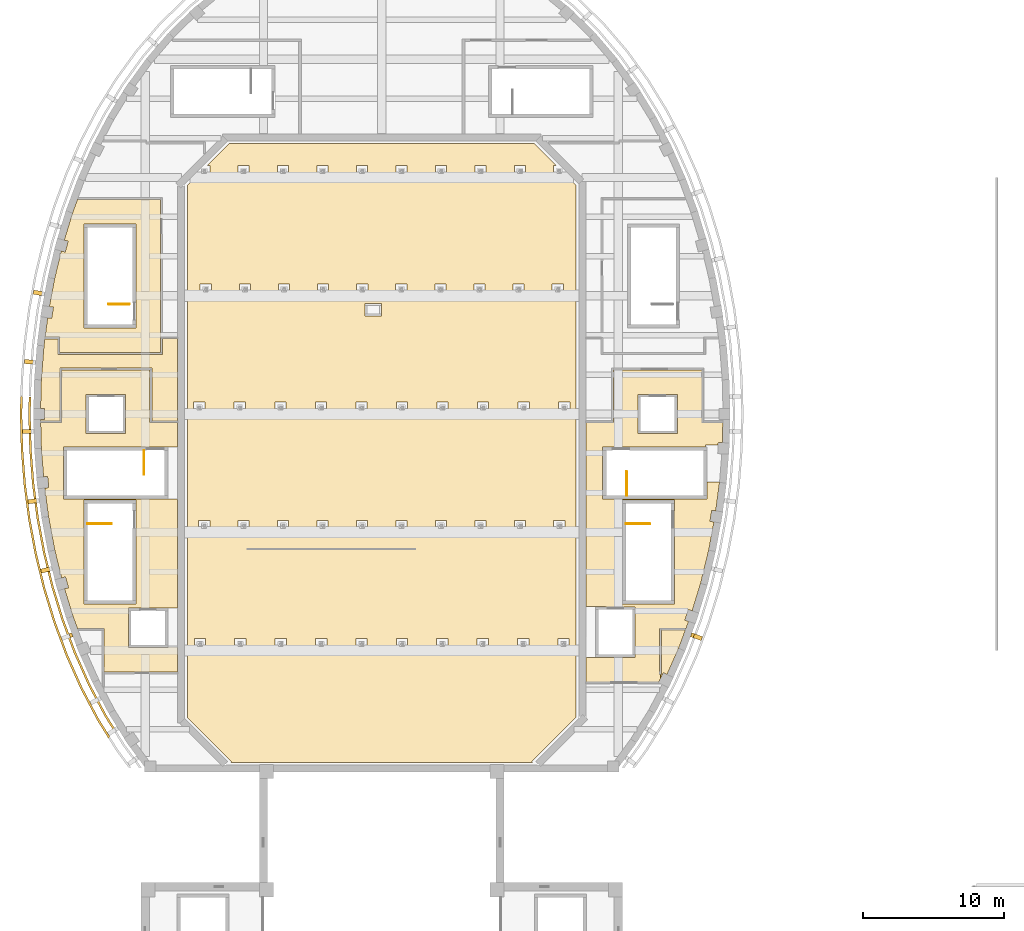
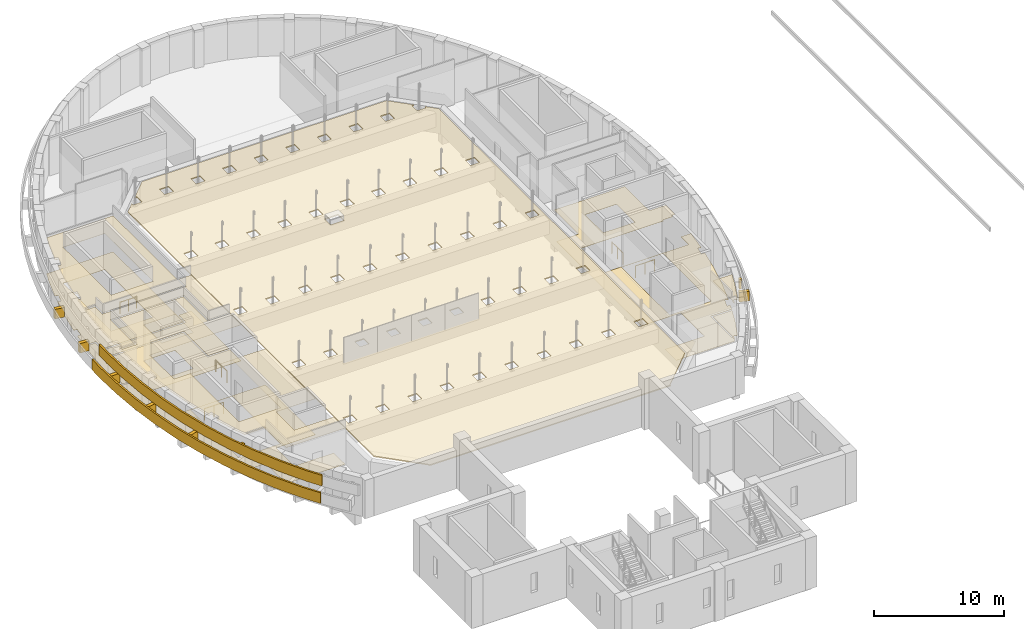
# One storey, part 45 of 47: 20 coverings, 5 railings.
"""IFC4 building model written with IfcOpenShell, lengths in metres."""

from ifc_helpers import new_model, si_unit, direction, frame, origin, origin_2d, place, context, subcontext, project, spatial, polyline, rectangle, circle, outline, extrude, material, layer, layer_set, type_object, element, save


model = new_model("IFC4")

# Units and contexts
model_context = context("Model", 3, precision=1e-05, world=origin(), true_north=direction((0.0, 1.0)))
body_context = subcontext(model_context, "Body", "Model", "MODEL_VIEW")
ifc_project = project(units=[si_unit("LENGTHUNIT", "METRE"), si_unit("AREAUNIT", "SQUARE_METRE"), si_unit("VOLUMEUNIT", "CUBIC_METRE"), si_unit("PLANEANGLEUNIT", "RADIAN"), si_unit("MASSUNIT", "GRAM", prefix="KILO")], contexts=[model_context])

# Site, building, storey
site_placement = place(None, origin())
site = spatial("IfcSite", under=ifc_project, at=site_placement, CompositionType="ELEMENT")
building_placement = place(site_placement, origin())
building = spatial("IfcBuilding", under=site, at=building_placement, Name="Larchfold Concert Hall", CompositionType="ELEMENT")
storey_placement = place(building_placement, frame((0.0, 0.0, 24.0)))
storey = spatial("IfcBuildingStorey", under=building, at=storey_placement, Name="L05", CompositionType="ELEMENT", Elevation=24.0)

# Coverings
ifc_material_1 = material(Name="Mineral fibre ceiling tile")
ifc_layer_1 = layer(ifc_material_1, 0.02001953125)
ifc_layer_set_1 = layer_set([ifc_layer_1], Name="Mineral fibre ceiling tile")
covering_type_1 = type_object("IfcCoveringType", Name="Ceiling mineral fibre tile 20", PredefinedType="CEILING", material=ifc_layer_set_1)
covering_1_placement = place(storey_placement, frame((0.0, 0.0, 3.380126953125)))
element("IfcCovering", 1, at=covering_1_placement, inside=storey, type_object=covering_type_1, Name="Ceiling Corridor 04", PredefinedType="CEILING", context=body_context, shape_type="SweptSolid", body=[
    extrude(outline(polyline([(19.863525390625, 83.987548828125), (18.3662109375, 83.986572265625), (18.413330078125, 82.164794921875), (18.572265625, 80.13525390625), (18.860107421875, 80.165283203125), (18.943359375, 79.36962890625), (18.65576171875, 79.339599609375), (18.92138671875, 77.321533203125), (19.3681640625, 74.927490234375), (19.8515625, 72.950927734375), (20.129638671875, 73.02734375), (20.341552734375, 72.255859375), (20.0634765625, 72.179443359375), (20.658447265625, 70.234375), (21.005859375, 69.301025390625), (21.02099609375, 69.301025390625), (21.02099609375, 69.362548828125), (22.862548828125, 69.362548828125), (22.868408203125, 66.257080078125), (22.868408203125, 66.263427734375), (28.10009765625, 66.262451171875), (28.10009765625, 67.991943359375), (24.60009765625, 68.0), (24.60009765625, 70.800048828125), (28.10009765625, 70.80810546875), (28.10009765625, 78.5419921875), (20.0, 78.550048828125), (20.0, 82.25), (28.10009765625, 82.258056640625), (28.10009765625, 83.986572265625), (26.136474609375, 83.987548828125), (26.136474609375, 87.736572265625), (19.863525390625, 87.736572265625), (19.863525390625, 83.987548828125)]), holes=[polyline([(21.449951171875, 71.10009765625), (21.449951171875, 78.5), (25.14990234375, 78.5), (25.14990234375, 71.10009765625), (21.449951171875, 71.10009765625)]), polyline([(24.39990234375, 83.199951171875), (21.60009765625, 83.199951171875), (21.60009765625, 86.0), (24.39990234375, 86.0), (24.39990234375, 83.199951171875)])]), origin(), (0.0, 0.0, 1.0), 0.02001953125),
])
covering_2_placement = place(storey_placement, frame((0.0, 0.0, 3.380126953125)))
element("IfcCovering", 2, at=covering_2_placement, inside=storey, type_object=covering_type_1, Name="Ceiling Corridor 03", PredefinedType="CEILING", context=body_context, shape_type="SweptSolid", body=[
    extrude(outline(polyline([(19.832275390625, 96.176513671875), (19.355712890625, 94.2138671875), (18.9873046875, 92.2275390625), (19.27294921875, 92.182373046875), (19.148193359375, 91.39208984375), (18.8623046875, 91.437255859375), (18.6826171875, 90.0625), (19.71240234375, 90.0625), (19.71240234375, 88.96240234375), (26.887451171875, 88.96240234375), (26.887451171875, 90.050048828125), (26.948974609375, 90.051025390625), (26.887451171875, 90.051025390625), (26.887451171875, 99.83740234375), (21.02099609375, 99.83740234375), (21.02099609375, 99.899169921875), (21.006103515625, 99.899169921875), (20.629638671875, 98.88037109375), (20.04296875, 96.948486328125), (20.3212890625, 96.87255859375), (20.11083984375, 96.1005859375), (19.832275390625, 96.176513671875)]), holes=[polyline([(25.14990234375, 98.10009765625), (25.14990234375, 90.699951171875), (21.449951171875, 90.699951171875), (21.449951171875, 98.10009765625), (25.14990234375, 98.10009765625)])]), origin(), (0.0, 0.0, 1.0), 0.02001953125),
])
ifc_material_2 = material(Name="Plasterboard ceiling lining")
ifc_layer_2 = layer(ifc_material_2, 0.030029296875)
ifc_layer_set_2 = layer_set([ifc_layer_2], Name="Plasterboard ceiling lining")
covering_type_2 = type_object("IfcCoveringType", Name="Ceiling suspended plasterboard 30", PredefinedType="CEILING", material=ifc_layer_set_2)
covering_3_placement = place(storey_placement, frame((0.0, 0.0, 3.3701171875)))
element("IfcCovering", 3, at=covering_3_placement, inside=storey, type_object=covering_type_2, Name="Ceiling Lighting Workshop", PredefinedType="CEILING", context=body_context, shape_type="SweptSolid", body=[
    extrude(outline(polyline([(62.400146484375, 66.107177734375), (62.400146484375, 65.79345703125), (62.607666015625, 66.2216796875), (62.865966796875, 66.096435546875), (63.69287109375, 67.953369140625), (64.170654296875, 69.237548828125), (62.46240234375, 69.237548828125), (62.45751953125, 66.107177734375), (62.400146484375, 66.107177734375)])), origin(), (0.0, 0.0, 1.0), 0.030029296875),
])
covering_4_placement = place(storey_placement, frame((0.0, 0.0, 3.3701171875)))
element("IfcCovering", 4, at=covering_4_placement, inside=storey, type_object=covering_type_2, Name="Ceiling Orchestra Library Reading Room", PredefinedType="CEILING", context=body_context, shape_type="SweptSolid", body=[
    extrude(outline(polyline([(18.364501953125, 84.050048828125), (18.364990234375, 84.111572265625), (19.800048828125, 84.112548828125), (19.738525390625, 84.112548828125), (19.738525390625, 87.861572265625), (26.261474609375, 87.861572265625), (26.261474609375, 84.112548828125), (28.10009765625, 84.111572265625), (28.10009765625, 89.949951171875), (27.012451171875, 89.949951171875), (27.012451171875, 88.83740234375), (19.58740234375, 88.83740234375), (19.58740234375, 89.9375), (18.678955078125, 89.9375), (18.678955078125, 90.0), (18.67431640625, 90.0), (18.600341796875, 89.433837890625), (18.41259765625, 87.020263671875), (18.360595703125, 85.0), (18.64990234375, 85.0), (18.64990234375, 84.2001953125), (18.360595703125, 84.2001953125), (18.364501953125, 84.050048828125)])), origin(), (0.0, 0.0, 1.0), 0.030029296875),
])
ifc_material_3 = material(Name="Linoleum sheet")
ifc_layer_3 = layer(ifc_material_3, 0.02001953125)
ifc_layer_set_3 = layer_set([ifc_layer_3], Name="Linoleum sheet")
covering_type_3 = type_object("IfcCoveringType", Name="Floor finish vinyl 20", PredefinedType="FLOORING", material=ifc_layer_set_3)
covering_5_placement = place(storey_placement, origin())
element("IfcCovering", 5, at=covering_5_placement, inside=storey, type_object=covering_type_3, Name="Floor finish Lighting Workshop", PredefinedType="FLOORING", context=body_context, shape_type="SweptSolid", body=[
    extrude(outline(polyline([(62.400146484375, 66.107177734375), (62.400146484375, 65.79345703125), (62.607666015625, 66.2216796875), (62.865966796875, 66.096435546875), (63.69287109375, 67.953369140625), (64.170654296875, 69.237548828125), (62.46240234375, 69.237548828125), (62.45751953125, 66.107177734375), (62.400146484375, 66.107177734375)])), origin(), (0.0, 0.0, 1.0), 0.02001953125),
])
covering_6_placement = place(storey_placement, origin())
element("IfcCovering", 6, at=covering_6_placement, inside=storey, type_object=covering_type_3, Name="Floor finish Corridor 01", PredefinedType="FLOORING", context=body_context, shape_type="SweptSolid", body=[
    extrude(outline(polyline([(57.10009765625, 83.986572265625), (57.10009765625, 70.907958984375), (60.60009765625, 70.89990234375), (60.60009765625, 67.300048828125), (57.10009765625, 67.2919921875), (57.10009765625, 65.5625), (62.28857421875, 65.5634765625), (62.399169921875, 65.79150390625), (62.399169921875, 66.107177734375), (62.33251953125, 66.107177734375), (62.337646484375, 69.362548828125), (64.178955078125, 69.362548828125), (64.178955078125, 69.301025390625), (64.1943359375, 69.301025390625), (64.402099609375, 69.859130859375), (64.12939453125, 69.951416015625), (64.3857421875, 70.709228515625), (64.65869140625, 70.616943359375), (65.253662109375, 72.562255859375), (65.83203125, 74.927490234375), (66.205322265625, 76.927978515625), (65.919921875, 76.973388671875), (66.04541015625, 77.763427734375), (66.330810546875, 77.718017578125), (66.59765625, 79.75), (65.699951171875, 79.75), (65.699951171875, 78.550048828125), (58.300048828125, 78.550048828125), (58.300048828125, 82.25), (65.60009765625, 82.25), (65.60009765625, 82.39990234375), (66.498779296875, 82.39990234375), (66.508056640625, 82.579833984375), (66.79736328125, 82.56494140625), (66.833984375, 83.986572265625), (65.33642578125, 83.987548828125), (65.33642578125, 87.736572265625), (59.0634765625, 87.736572265625), (59.0634765625, 83.987548828125), (57.10009765625, 83.986572265625)]), holes=[polyline([(63.60009765625, 83.199951171875), (60.800048828125, 83.199951171875), (60.800048828125, 86.0), (63.60009765625, 86.0), (63.60009765625, 83.199951171875)]), polyline([(59.699951171875, 71.10009765625), (59.699951171875, 78.5), (63.39990234375, 78.5), (63.39990234375, 71.10009765625), (59.699951171875, 71.10009765625)])]), origin(), (0.0, 0.0, 1.0), 0.02001953125),
])
covering_7_placement = place(storey_placement, origin())
element("IfcCovering", 7, at=covering_7_placement, inside=storey, type_object=covering_type_3, Name="Floor finish Corridor 04", PredefinedType="FLOORING", context=body_context, shape_type="SweptSolid", body=[
    extrude(outline(polyline([(19.863525390625, 83.987548828125), (18.3662109375, 83.986572265625), (18.413330078125, 82.164794921875), (18.572265625, 80.13525390625), (18.860107421875, 80.165283203125), (18.943359375, 79.36962890625), (18.65576171875, 79.339599609375), (18.92138671875, 77.321533203125), (19.3681640625, 74.927490234375), (19.8515625, 72.950927734375), (20.129638671875, 73.02734375), (20.341552734375, 72.255859375), (20.0634765625, 72.179443359375), (20.658447265625, 70.234375), (21.005859375, 69.301025390625), (21.02099609375, 69.301025390625), (21.02099609375, 69.362548828125), (22.862548828125, 69.362548828125), (22.868408203125, 66.257080078125), (22.868408203125, 66.263427734375), (28.10009765625, 66.262451171875), (28.10009765625, 67.991943359375), (24.60009765625, 68.0), (24.60009765625, 70.800048828125), (28.10009765625, 70.80810546875), (28.10009765625, 78.5419921875), (20.0, 78.550048828125), (20.0, 82.25), (28.10009765625, 82.258056640625), (28.10009765625, 83.986572265625), (26.136474609375, 83.987548828125), (26.136474609375, 87.736572265625), (19.863525390625, 87.736572265625), (19.863525390625, 83.987548828125)]), holes=[polyline([(21.449951171875, 71.10009765625), (21.449951171875, 78.5), (25.14990234375, 78.5), (25.14990234375, 71.10009765625), (21.449951171875, 71.10009765625)]), polyline([(24.39990234375, 83.199951171875), (21.60009765625, 83.199951171875), (21.60009765625, 86.0), (24.39990234375, 86.0), (24.39990234375, 83.199951171875)])]), origin(), (0.0, 0.0, 1.0), 0.02001953125),
])
covering_8_placement = place(storey_placement, origin())
element("IfcCovering", 8, at=covering_8_placement, inside=storey, type_object=covering_type_3, Name="Floor finish Orchestra Library Reading Room", PredefinedType="FLOORING", context=body_context, shape_type="SweptSolid", body=[
    extrude(outline(polyline([(18.364501953125, 84.050048828125), (18.364990234375, 84.111572265625), (19.800048828125, 84.112548828125), (19.738525390625, 84.112548828125), (19.738525390625, 87.861572265625), (26.261474609375, 87.861572265625), (26.261474609375, 84.112548828125), (28.10009765625, 84.111572265625), (28.10009765625, 89.949951171875), (27.012451171875, 89.949951171875), (27.012451171875, 88.83740234375), (19.58740234375, 88.83740234375), (19.58740234375, 89.9375), (18.678955078125, 89.9375), (18.678955078125, 90.0), (18.67431640625, 90.0), (18.600341796875, 89.433837890625), (18.41259765625, 87.020263671875), (18.360595703125, 85.0), (18.64990234375, 85.0), (18.64990234375, 84.2001953125), (18.360595703125, 84.2001953125), (18.364501953125, 84.050048828125)])), origin(), (0.0, 0.0, 1.0), 0.02001953125),
])
covering_9_placement = place(storey_placement, origin())
element("IfcCovering", 9, at=covering_9_placement, inside=storey, type_object=covering_type_3, Name="Floor finish Corridor 03", PredefinedType="FLOORING", context=body_context, shape_type="SweptSolid", body=[
    extrude(outline(polyline([(19.832275390625, 96.176513671875), (19.355712890625, 94.2138671875), (18.9873046875, 92.2275390625), (19.27294921875, 92.182373046875), (19.148193359375, 91.39208984375), (18.8623046875, 91.437255859375), (18.6826171875, 90.0625), (19.71240234375, 90.0625), (19.71240234375, 88.96240234375), (26.887451171875, 88.96240234375), (26.887451171875, 90.050048828125), (26.948974609375, 90.051025390625), (26.887451171875, 90.051025390625), (26.887451171875, 99.83740234375), (21.02099609375, 99.83740234375), (21.02099609375, 99.899169921875), (21.006103515625, 99.899169921875), (20.629638671875, 98.88037109375), (20.04296875, 96.948486328125), (20.3212890625, 96.87255859375), (20.11083984375, 96.1005859375), (19.832275390625, 96.176513671875)]), holes=[polyline([(25.14990234375, 98.10009765625), (25.14990234375, 90.699951171875), (21.449951171875, 90.699951171875), (21.449951171875, 98.10009765625), (25.14990234375, 98.10009765625)])]), origin(), (0.0, 0.0, 1.0), 0.02001953125),
])
ifc_material_4 = material(Name="Powder-coated orange aluminium", Category="aluminium")
ifc_layer_4 = layer(ifc_material_4, 0.14990234375)
ifc_layer_set_4 = layer_set([ifc_layer_4], Name="Powder-coated orange aluminium")
covering_type_4 = type_object("IfcCoveringType", Name="Orange aluminium ring cladding", PredefinedType="CLADDING", material=ifc_layer_set_4)
covering_10_placement = place(storey_placement, frame((0.0, 0.0, 0.89990234375)))
element("IfcCovering", 10, at=covering_10_placement, inside=storey, type_object=covering_type_4, Name="Ring band R12c", PredefinedType="CLADDING", context=body_context, shape_type="SweptSolid", body=[
    extrude(outline(polyline([(17.0498046875, 84.60009765625), (17.081787109375, 85.837646484375), (16.931884765625, 85.844970703125), (16.89990234375, 84.60009765625), (16.96484375, 82.089599609375), (17.160888671875, 79.5849609375), (17.48876953125, 77.093505859375), (17.950439453125, 74.621826171875), (18.547607421875, 72.177490234375), (19.28466796875, 69.768798828125), (20.16455078125, 67.4052734375), (21.19189453125, 65.09716796875), (22.37255859375, 62.858154296875), (23.19140625, 61.54052734375), (23.29296875, 61.661376953125), (22.5029296875, 62.932861328125), (21.326904296875, 65.162841796875), (20.303466796875, 67.4619140625), (19.4267578125, 69.81689453125), (18.6923828125, 72.21728515625), (18.096923828125, 74.653564453125), (17.636962890625, 77.1171875), (17.31005859375, 79.6005859375), (17.11474609375, 82.097412109375), (17.0498046875, 84.60009765625)])), origin(), (0.0, 0.0, 1.0), 1.0),
])
covering_11_placement = place(storey_placement, frame((0.0, 0.0, 2.10009765625)))
element("IfcCovering", 11, at=covering_11_placement, inside=storey, type_object=covering_type_4, Name="Ring band R13c", PredefinedType="CLADDING", context=body_context, shape_type="SweptSolid", body=[
    extrude(outline(polyline([(17.650146484375, 84.60009765625), (17.68115234375, 85.80810546875), (17.53125, 85.8154296875), (17.5, 84.60009765625), (17.564208984375, 82.12060546875), (17.7578125, 79.6474609375), (18.08154296875, 77.18798828125), (18.537109375, 74.748291015625), (19.12646484375, 72.336669921875), (19.853271484375, 69.96142578125), (20.72021484375, 67.632080078125), (21.73193359375, 65.359375), (22.8935546875, 63.15673828125), (23.597412109375, 62.023681640625), (23.698974609375, 62.14453125), (23.023681640625, 63.2314453125), (21.866943359375, 65.425048828125), (20.859130859375, 67.688720703125), (19.995361328125, 70.009521484375), (19.271240234375, 72.37646484375), (18.683837890625, 74.77978515625), (18.229736328125, 77.21142578125), (17.906982421875, 79.663330078125), (17.714111328125, 82.12841796875), (17.650146484375, 84.60009765625)])), origin(), (0.0, 0.0, 1.0), 1.0),
])
ifc_material_5 = material(Name="Galvanised steel bracket", Category="steel")
ifc_layer_5 = layer(ifc_material_5, 0.300048828125)
ifc_layer_set_5 = layer_set([ifc_layer_5], Name="Galvanised steel bracket")
covering_type_5 = type_object("IfcCoveringType", Name="Ring support bracket", PredefinedType="CLADDING", material=ifc_layer_set_5)
for number, where, z_axis, x_axis, name in (
    (12, (18.25, 93.188232421875, 0.949951171875), (0.0, 0.0, 1.0), (-0.983231690727, 0.182360747833, 0.0), "Ring bracket BR-R12-18"),
    (13, (17.609130859375, 88.296875, 0.949951171875), (0.0, 0.0, 1.0), (-0.996990162785, 0.077528158171, 0.0), "Ring bracket BR-R12-19"),
    (14, (17.482177734375, 83.359130859375, 0.949951171875), (0.0, 0.0, 1.0), (-0.999665014874, -0.025881615792, 0.0), "Ring bracket BR-R12-20"),
    (15, (17.8701171875, 78.411376953125, 0.949951171875), (0.0, 0.0, 1.0), (-0.991449907596, -0.130487856632, 0.0), "Ring bracket BR-R12-21"),
    (16, (18.783203125, 73.53076171875, 0.949951171875), (0.0, 0.0, 1.0), (-0.971411707345, -0.237401126438, 0.0), "Ring bracket BR-R12-22"),
    (17, (64.96044921875, 68.779541015625, 0.949951171875), (0.0, 0.0, 1.0), (0.937177411386, -0.348853120364, 0.0), "Ring bracket BR-R12-30"),
):
    element("IfcCovering", number, at=place(storey_placement, frame(where, z_axis=z_axis, x_axis=x_axis)), inside=storey, type_object=covering_type_5, Name=name, PredefinedType="CLADDING", context=body_context, shape_type="SweptSolid", body=[
        extrude(rectangle(XDim=0.800048828125, YDim=0.300048828125, at=origin_2d()), origin(), (0.0, 0.0, 1.0), 0.89990234375),
    ])
for number, where, z_axis, x_axis, name in (
    (18, (20.52099609375, 68.88427734375, 2.150146484375), (0.0, 0.0, 1.0), (-0.937177411386, -0.348853120364, 0.0), "Ring bracket BR-R13-23"),
    (19, (64.67919921875, 68.88427734375, 2.150146484375), (0.0, 0.0, 1.0), (0.937177411386, -0.348853120364, 0.0), "Ring bracket BR-R13-30"),
):
    element("IfcCovering", number, at=place(storey_placement, frame(where, z_axis=z_axis, x_axis=x_axis)), inside=storey, type_object=covering_type_5, Name=name, PredefinedType="CLADDING", context=body_context, shape_type="SweptSolid", body=[
        extrude(rectangle(XDim=0.199951171875, YDim=0.300048828125, at=origin_2d()), origin(), (0.0, 0.0, 1.0), 0.89990234375),
    ])
ifc_material_6 = material(Name="Insulation and bitumen membrane")
ifc_layer_6 = layer(ifc_material_6, 0.10009765625)
ifc_layer_set_6 = layer_set([ifc_layer_6], Name="Insulation and bitumen membrane")
covering_type_6 = type_object("IfcCoveringType", Name="Roof membrane build-up 100", PredefinedType="ROOFING", material=ifc_layer_set_6)
covering_12_placement = place(storey_placement, frame((0.0, 0.0, 2.39990234375)))
element("IfcCovering", 20, at=covering_12_placement, inside=storey, type_object=covering_type_6, Name="Roof covering RC011", PredefinedType="ROOFING", context=body_context, shape_type="SweptSolid", body=[
    extrude(outline(polyline([(31.93701171875, 59.8994140625), (31.887451171875, 59.849853515625), (53.312744140625, 59.849853515625), (53.26318359375, 59.8994140625), (56.400146484375, 63.036376953125), (56.400146484375, 100.86376953125), (55.617919921875, 101.645751953125), (55.617919921875, 101.449951171875), (54.818115234375, 101.449951171875), (54.818115234375, 102.25), (55.013671875, 102.25), (53.463623046875, 103.800048828125), (31.736328125, 103.800048828125), (30.1865234375, 102.25), (30.382080078125, 102.25), (30.382080078125, 101.449951171875), (29.582275390625, 101.449951171875), (29.582275390625, 101.645751953125), (28.800048828125, 100.86376953125), (28.800048828125, 63.036376953125), (31.93701171875, 59.8994140625)]), holes=[polyline([(55.96240234375, 84.64990234375), (55.16259765625, 84.64990234375), (55.16259765625, 85.449951171875), (55.96240234375, 85.449951171875), (55.96240234375, 84.64990234375)]), polyline([(55.115478515625, 67.849853515625), (55.115478515625, 68.64990234375), (55.915283203125, 68.64990234375), (55.915283203125, 67.849853515625), (55.115478515625, 67.849853515625)]), polyline([(54.819091796875, 76.25), (54.819091796875, 77.050048828125), (55.618896484375, 77.050048828125), (55.618896484375, 76.25), (54.819091796875, 76.25)]), polyline([(54.700927734375, 93.050048828125), (54.700927734375, 93.85009765625), (55.500732421875, 93.85009765625), (55.500732421875, 93.050048828125), (54.700927734375, 93.050048828125)]), polyline([(52.281982421875, 84.64990234375), (52.281982421875, 85.449951171875), (53.081787109375, 85.449951171875), (53.081787109375, 84.64990234375), (52.281982421875, 84.64990234375)]), polyline([(52.24560546875, 67.849853515625), (52.24560546875, 68.64990234375), (53.04541015625, 68.64990234375), (53.04541015625, 67.849853515625), (52.24560546875, 67.849853515625)]), polyline([(52.014892578125, 76.25), (52.014892578125, 77.050048828125), (52.814697265625, 77.050048828125), (52.814697265625, 76.25), (52.014892578125, 76.25)]), polyline([(52.01416015625, 101.449951171875), (52.01416015625, 102.25), (52.81396484375, 102.25), (52.81396484375, 101.449951171875), (52.01416015625, 101.449951171875)]), polyline([(51.923095703125, 93.050048828125), (51.923095703125, 93.85009765625), (52.722900390625, 93.85009765625), (52.722900390625, 93.050048828125), (51.923095703125, 93.050048828125)]), polyline([(49.401611328125, 84.64990234375), (49.401611328125, 85.449951171875), (50.201416015625, 85.449951171875), (50.201416015625, 84.64990234375), (49.401611328125, 84.64990234375)]), polyline([(50.17529296875, 67.849853515625), (49.37548828125, 67.849853515625), (49.37548828125, 68.64990234375), (50.17529296875, 68.64990234375), (50.17529296875, 67.849853515625)]), polyline([(50.010498046875, 76.25), (49.210693359375, 76.25), (49.210693359375, 77.050048828125), (50.010498046875, 77.050048828125), (50.010498046875, 76.25)]), polyline([(49.210205078125, 101.449951171875), (49.210205078125, 102.25), (50.010009765625, 102.25), (50.010009765625, 101.449951171875), (49.210205078125, 101.449951171875)]), polyline([(49.14501953125, 93.050048828125), (49.14501953125, 93.85009765625), (49.94482421875, 93.85009765625), (49.94482421875, 93.050048828125), (49.14501953125, 93.050048828125)]), polyline([(47.32080078125, 84.64990234375), (46.52099609375, 84.64990234375), (46.52099609375, 85.449951171875), (47.32080078125, 85.449951171875), (47.32080078125, 84.64990234375)]), polyline([(46.50537109375, 67.849853515625), (46.50537109375, 68.64990234375), (47.30517578125, 68.64990234375), (47.30517578125, 67.849853515625), (46.50537109375, 67.849853515625)]), polyline([(46.406494140625, 76.25), (46.406494140625, 77.050048828125), (47.206298828125, 77.050048828125), (47.206298828125, 76.25), (46.406494140625, 76.25)]), polyline([(46.40625, 101.449951171875), (46.40625, 102.25), (47.2060546875, 102.25), (47.2060546875, 101.449951171875), (46.40625, 101.449951171875)]), polyline([(46.3671875, 93.050048828125), (46.3671875, 93.85009765625), (47.1669921875, 93.85009765625), (47.1669921875, 93.050048828125), (46.3671875, 93.050048828125)]), polyline([(44.440185546875, 84.64990234375), (43.640380859375, 84.64990234375), (43.640380859375, 85.449951171875), (44.440185546875, 85.449951171875), (44.440185546875, 84.64990234375)]), polyline([(43.63525390625, 67.849853515625), (43.63525390625, 68.64990234375), (44.43505859375, 68.64990234375), (44.43505859375, 67.849853515625), (43.63525390625, 67.849853515625)]), polyline([(43.602294921875, 101.449951171875), (43.602294921875, 102.25), (44.402099609375, 102.25), (44.402099609375, 101.449951171875), (43.602294921875, 101.449951171875)]), polyline([(43.602294921875, 76.25), (43.602294921875, 77.050048828125), (44.402099609375, 77.050048828125), (44.402099609375, 76.25), (43.602294921875, 76.25)]), polyline([(43.589111328125, 93.050048828125), (43.589111328125, 93.85009765625), (44.388916015625, 93.85009765625), (44.388916015625, 93.050048828125), (43.589111328125, 93.050048828125)]), polyline([(41.611083984375, 93.050048828125), (40.811279296875, 93.050048828125), (40.811279296875, 93.85009765625), (41.611083984375, 93.85009765625), (41.611083984375, 93.050048828125)]), polyline([(40.798095703125, 76.25), (40.798095703125, 77.050048828125), (41.597900390625, 77.050048828125), (41.597900390625, 76.25), (40.798095703125, 76.25)]), polyline([(41.597900390625, 101.449951171875), (40.798095703125, 101.449951171875), (40.798095703125, 102.25), (41.597900390625, 102.25), (41.597900390625, 101.449951171875)]), polyline([(41.56494140625, 67.849853515625), (40.76513671875, 67.849853515625), (40.76513671875, 68.64990234375), (41.56494140625, 68.64990234375), (41.56494140625, 67.849853515625)]), polyline([(40.760009765625, 84.64990234375), (40.760009765625, 85.449951171875), (41.559814453125, 85.449951171875), (41.559814453125, 84.64990234375), (40.760009765625, 84.64990234375)]), polyline([(38.033203125, 93.050048828125), (38.033203125, 93.85009765625), (38.8330078125, 93.85009765625), (38.8330078125, 93.050048828125), (38.033203125, 93.050048828125)]), polyline([(37.994140625, 101.449951171875), (37.994140625, 102.25), (38.7939453125, 102.25), (38.7939453125, 101.449951171875), (37.994140625, 101.449951171875)]), polyline([(37.993896484375, 76.25), (37.993896484375, 77.050048828125), (38.793701171875, 77.050048828125), (38.793701171875, 76.25), (37.993896484375, 76.25)]), polyline([(37.89501953125, 67.849853515625), (37.89501953125, 68.64990234375), (38.69482421875, 68.64990234375), (38.69482421875, 67.849853515625), (37.89501953125, 67.849853515625)]), polyline([(38.67919921875, 84.64990234375), (37.87939453125, 84.64990234375), (37.87939453125, 85.449951171875), (38.67919921875, 85.449951171875), (38.67919921875, 84.64990234375)]), polyline([(35.25537109375, 93.050048828125), (35.25537109375, 93.85009765625), (36.05517578125, 93.85009765625), (36.05517578125, 93.050048828125), (35.25537109375, 93.050048828125)]), polyline([(35.190185546875, 101.449951171875), (35.190185546875, 102.25), (35.989990234375, 102.25), (35.989990234375, 101.449951171875), (35.190185546875, 101.449951171875)]), polyline([(35.989501953125, 76.25), (35.189697265625, 76.25), (35.189697265625, 77.050048828125), (35.989501953125, 77.050048828125), (35.989501953125, 76.25)]), polyline([(35.02490234375, 67.849853515625), (35.02490234375, 68.64990234375), (35.82470703125, 68.64990234375), (35.82470703125, 67.849853515625), (35.02490234375, 67.849853515625)]), polyline([(34.998779296875, 84.64990234375), (34.998779296875, 85.449951171875), (35.798583984375, 85.449951171875), (35.798583984375, 84.64990234375), (34.998779296875, 84.64990234375)]), polyline([(33.277099609375, 93.050048828125), (32.477294921875, 93.050048828125), (32.477294921875, 93.85009765625), (33.277099609375, 93.85009765625), (33.277099609375, 93.050048828125)]), polyline([(33.18603515625, 101.449951171875), (32.38623046875, 101.449951171875), (32.38623046875, 102.25), (33.18603515625, 102.25), (33.18603515625, 101.449951171875)]), polyline([(32.385498046875, 76.25), (32.385498046875, 77.050048828125), (33.185302734375, 77.050048828125), (33.185302734375, 76.25), (32.385498046875, 76.25)]), polyline([(32.95458984375, 67.849853515625), (32.15478515625, 67.849853515625), (32.15478515625, 68.64990234375), (32.95458984375, 68.64990234375), (32.95458984375, 67.849853515625)]), polyline([(32.118408203125, 84.64990234375), (32.118408203125, 85.449951171875), (32.918212890625, 85.449951171875), (32.918212890625, 84.64990234375), (32.118408203125, 84.64990234375)]), polyline([(29.699462890625, 93.050048828125), (29.699462890625, 93.85009765625), (30.499267578125, 93.85009765625), (30.499267578125, 93.050048828125), (29.699462890625, 93.050048828125)]), polyline([(29.581298828125, 76.25), (29.581298828125, 77.050048828125), (30.381103515625, 77.050048828125), (30.381103515625, 76.25), (29.581298828125, 76.25)]), polyline([(30.084716796875, 67.849853515625), (29.284912109375, 67.849853515625), (29.284912109375, 68.64990234375), (30.084716796875, 68.64990234375), (30.084716796875, 67.849853515625)]), polyline([(29.23779296875, 84.64990234375), (29.23779296875, 85.449951171875), (30.03759765625, 85.449951171875), (30.03759765625, 84.64990234375), (29.23779296875, 84.64990234375)]), polyline([(42.60009765625, 91.550048828125), (42.60009765625, 92.449951171875), (41.39990234375, 92.449951171875), (41.39990234375, 91.550048828125), (42.60009765625, 91.550048828125)])]), origin(), (0.0, 0.0, 1.0), 0.10009765625),
])

# Railings
ifc_material_7 = material(Name="Stainless steel balustrade", Category="steel")
railing_type = type_object("IfcRailingType", Name="Stair guard 1100", PredefinedType="GUARDRAIL", material=ifc_material_7)
railing_1_placement = place(storey_placement, frame((24.6748046875, 92.39990234375, 0.0)))
element("IfcRailing", 21, at=railing_1_placement, inside=storey, type_object=railing_type, Name="Guard GR0004", PredefinedType="GUARDRAIL", context=body_context, shape_type="SweptSolid", body=[
    extrude(circle(Radius=0.02392578125, at=origin_2d()), frame((0.0, 0.0, 1.076171875), z_axis=(-1.0, 0.0, 0.0), x_axis=(0.0, -1.0, 0.0)), (0.0, 0.0, 1.0), 1.474853515625),
    extrude(circle(Radius=0.02099609375, at=origin_2d()), origin(), (0.0, 0.0, 1.0), 1.052001953125),
    extrude(circle(Radius=0.02099609375, at=origin_2d()), frame((-0.7373046875, 0.0, 0.0)), (0.0, 0.0, 1.0), 1.052001953125),
    extrude(circle(Radius=0.02099609375, at=origin_2d()), frame((-1.474853515625, 0.0, 0.0)), (0.0, 0.0, 1.0), 1.052001953125),
])
for number, where, name in (
    (22, (21.699951171875, 76.800048828125, 0.0), "Guard GR0005"),
    (23, (59.949951171875, 76.800048828125, 0.0), "Guard GR0006"),
):
    element("IfcRailing", number, at=place(storey_placement, frame(where)), inside=storey, type_object=railing_type, Name=name, PredefinedType="GUARDRAIL", context=body_context, shape_type="SweptSolid", body=[
        extrude(circle(Radius=0.02392578125, at=origin_2d()), frame((0.0, 0.0, 1.076171875), z_axis=(1.0, 0.0, 0.0), x_axis=(0.0, 1.0, 0.0)), (0.0, 0.0, 1.0), 1.699951171875),
        extrude(circle(Radius=0.02099609375, at=origin_2d()), origin(), (0.0, 0.0, 1.0), 1.052001953125),
        extrude(circle(Radius=0.02099609375, at=origin_2d()), frame((0.85009765625, 0.0, 0.0)), (0.0, 0.0, 1.0), 1.052001953125),
        extrude(circle(Radius=0.02099609375, at=origin_2d()), frame((1.699951171875, 0.0, 0.0)), (0.0, 0.0, 1.0), 1.052001953125),
    ])
railing_2_placement = place(storey_placement, frame((25.699951171875, 82.0, 0.0)))
element("IfcRailing", 24, at=railing_2_placement, inside=storey, type_object=railing_type, Name="Guard GR0007", PredefinedType="GUARDRAIL", context=body_context, shape_type="SweptSolid", body=[
    extrude(circle(Radius=0.02392578125, at=origin_2d()), frame((0.0, 0.0, 1.076171875), z_axis=(0.0, -1.0, 0.0), x_axis=(1.0, 0.0, 0.0)), (0.0, 0.0, 1.0), 1.699951171875),
    extrude(circle(Radius=0.02099609375, at=origin_2d()), origin(), (0.0, 0.0, 1.0), 1.052001953125),
    extrude(circle(Radius=0.02099609375, at=origin_2d()), frame((0.0, -0.85009765625, 0.0)), (0.0, 0.0, 1.0), 1.052001953125),
    extrude(circle(Radius=0.02099609375, at=origin_2d()), frame((0.0, -1.699951171875, 0.0)), (0.0, 0.0, 1.0), 1.052001953125),
])
railing_3_placement = place(storey_placement, frame((60.0, 78.800048828125, 0.0)))
element("IfcRailing", 25, at=railing_3_placement, inside=storey, type_object=railing_type, Name="Guard GR0008", PredefinedType="GUARDRAIL", context=body_context, shape_type="SweptSolid", body=[
    extrude(circle(Radius=0.02392578125, at=origin_2d()), frame((0.0, 0.0, 1.076171875), z_axis=(0.0, 1.0, 0.0), x_axis=(-1.0, 0.0, 0.0)), (0.0, 0.0, 1.0), 1.699951171875),
    extrude(circle(Radius=0.02099609375, at=origin_2d()), origin(), (0.0, 0.0, 1.0), 1.052001953125),
    extrude(circle(Radius=0.02099609375, at=origin_2d()), frame((0.0, 0.85009765625, 0.0)), (0.0, 0.0, 1.0), 1.052001953125),
    extrude(circle(Radius=0.02099609375, at=origin_2d()), frame((0.0, 1.699951171875, 0.0)), (0.0, 0.0, 1.0), 1.052001953125),
])

save(model, "model.ifc")
